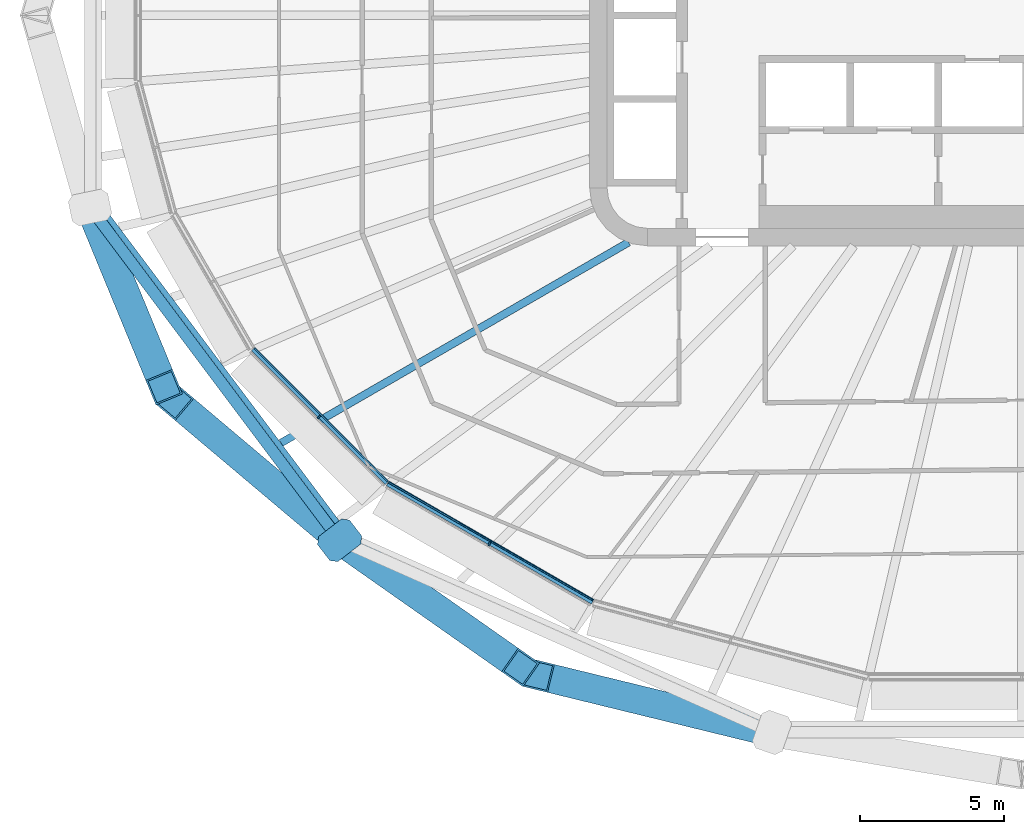
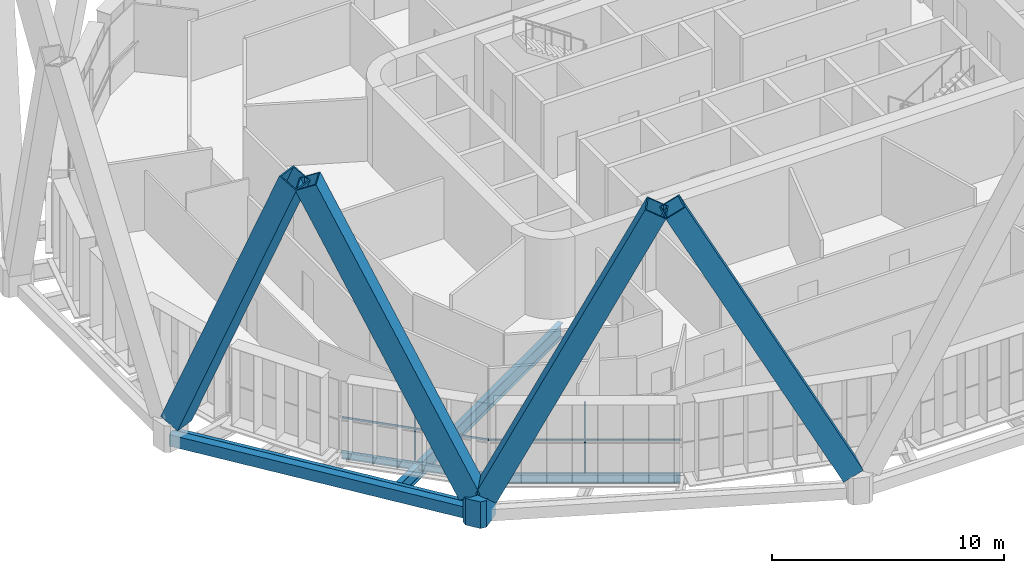
# One storey, part 1 of 25: 9 members, 5 beams, 2 elements without a shape of their own.
"""IFC4 building model written with IfcOpenShell, lengths in metres."""

from ifc_helpers import new_model, si_unit, direction, frame, origin, origin_2d, place, context, subcontext, project, spatial, polyline, rectangle, hollow_rectangle, i_section, outline, extrude, material, layer, layer_set, material_profile, profile_set, type_object, element, aggregate, save


model = new_model("IFC4")

# Units and contexts
model_context = context("Model", 3, precision=1e-05, world=origin(), true_north=direction((0.0, 1.0)))
body_context = subcontext(model_context, "Body", "Model", "MODEL_VIEW")
ifc_project = project(units=[si_unit("LENGTHUNIT", "METRE"), si_unit("AREAUNIT", "SQUARE_METRE"), si_unit("VOLUMEUNIT", "CUBIC_METRE"), si_unit("PLANEANGLEUNIT", "RADIAN"), si_unit("MASSUNIT", "GRAM", prefix="KILO")], contexts=[model_context])

# Site, building, storey
site_placement = place(None, origin())
site = spatial("IfcSite", under=ifc_project, at=site_placement, CompositionType="ELEMENT")
building_placement = place(site_placement, origin())
building = spatial("IfcBuilding", under=site, at=building_placement, Name="Sahrelin Media Tower", CompositionType="ELEMENT")
storey_placement = place(building_placement, frame((0.0, 0.0, 63.0)))
storey = spatial("IfcBuildingStorey", under=building, at=storey_placement, Name="L10", CompositionType="ELEMENT", Elevation=63.0)

# Members
ifc_material_1 = material(Name="Steel S460", Category="steel")
ifc_material_profile_1 = material_profile(ifc_material_1, hollow_rectangle(XDim=1.0, YDim=1.0, WallThickness=0.06005859375, at=origin_2d()), Name="Diagrid diagonal DG1")
ifc_profile_set_1 = profile_set([ifc_material_profile_1], Name="Steel S460")
member_type_1 = type_object("IfcMemberType", Name="Diagrid diagonal DG1", PredefinedType="BRACE", material=ifc_profile_set_1)
member_1_placement = place(storey_placement, frame((-32.2373046875, -6.943115234375, 0.699951171875), z_axis=(0.147434029779, -0.357371081902, 0.922252197982), x_axis=(0.92442176853, 0.381371726623, 0.0)))
element("IfcMember", 1, at=member_1_placement, inside=storey, type_object=member_type_1, Name="Diagrid diagonal D01-13", PredefinedType="BRACE", context=body_context, shape_type="SweptSolid", body=[
    extrude(hollow_rectangle(XDim=1.0, YDim=1.0, WallThickness=0.06005859375, at=origin_2d()), origin(), (0.0, 0.0, 1.0), 16.698486328125),
])
member_2_placement = place(storey_placement, frame((-23.930419921875, -18.01708984375, 0.699951171875), z_axis=(-0.322789301353, 0.272234018557, 0.90647432731), x_axis=(-0.644705674883, -0.764430894701, 0.0)))
element("IfcMember", 2, at=member_2_placement, inside=storey, type_object=member_type_1, Name="Diagrid diagonal D01-14", PredefinedType="BRACE", context=body_context, shape_type="SweptSolid", body=[
    extrude(hollow_rectangle(XDim=1.0, YDim=1.0, WallThickness=0.06005859375, at=origin_2d()), origin(), (0.0, 0.0, 1.0), 16.989013671875),
])
member_3_placement = place(storey_placement, frame((-23.408203125, -18.419189453125, 0.699951171875), z_axis=(0.352189140752, -0.247399563402, 0.902638501929), x_axis=(0.574813771639, 0.818284258638, 0.0)))
element("IfcMember", 3, at=member_3_placement, inside=storey, type_object=member_type_1, Name="Diagrid diagonal D01-15", PredefinedType="BRACE", context=body_context, shape_type="SweptSolid", body=[
    extrude(hollow_rectangle(XDim=1.0, YDim=1.0, WallThickness=0.06005859375, at=origin_2d()), origin(), (0.0, 0.0, 1.0), 17.061279296875),
])
member_4_placement = place(storey_placement, frame((-9.020263671875, -24.81298828125, 0.699951171875), z_axis=(-0.447007252146, 0.109235910573, 0.887835588592), x_axis=(-0.237386385551, -0.971415309718, 0.0)))
element("IfcMember", 4, at=member_4_placement, inside=storey, type_object=member_type_1, Name="Diagrid diagonal D01-16", PredefinedType="BRACE", context=body_context, shape_type="SweptSolid", body=[
    extrude(hollow_rectangle(XDim=1.0, YDim=1.0, WallThickness=0.06005859375, at=origin_2d()), origin(), (0.0, 0.0, 1.0), 17.345703125),
])
ifc_material_profile_2 = material_profile(ifc_material_1, outline(polyline([(0.5, -0.550048828125), (0.699951171875, -0.35009765625), (0.699951171875, 0.35009765625), (0.5, 0.550048828125), (-0.5, 0.550048828125), (-0.699951171875, 0.35009765625), (-0.699951171875, -0.35009765625), (-0.5, -0.550048828125), (0.5, -0.550048828125)])), Name="Diagrid node block 1400")
ifc_profile_set_2 = profile_set([ifc_material_profile_2], Name="Steel S460")
member_type_2 = type_object("IfcMemberType", Name="Diagrid node block 1400", PredefinedType="USERDEFINED", material=ifc_profile_set_2)
member_5_placement = place(storey_placement, frame((-23.68115234375, -18.227294921875, -0.699951171875), z_axis=(0.0, 0.0, 1.0), x_axis=(-0.792445093645, -0.609943254376, 0.0)))
element("IfcMember", 5, at=member_5_placement, inside=storey, type_object=member_type_2, Name="Diagrid node N01-07", ObjectType="NODE", PredefinedType="USERDEFINED", context=body_context, shape_type="SweptSolid", body=[
    extrude(outline(polyline([(0.5, -0.550048828125), (0.699951171875, -0.35009765625), (0.699951171875, 0.35009765625), (0.5, 0.550048828125), (-0.5, 0.550048828125), (-0.699951171875, 0.35009765625), (-0.699951171875, -0.35009765625), (-0.5, -0.550048828125), (0.5, -0.550048828125)])), origin(), (0.0, 0.0, 1.0), 1.39990234375),
])

# Beams
ifc_material_profile_3 = material_profile(ifc_material_1, hollow_rectangle(XDim=0.39990234375, YDim=0.60009765625, WallThickness=0.030029296875, at=origin_2d()), Name="Diagrid ring beam RB1")
ifc_profile_set_3 = profile_set([ifc_material_profile_3], Name="Steel S460")
beam_type_1 = type_object("IfcBeamType", Name="Diagrid ring beam RB1", PredefinedType="BEAM", material=ifc_profile_set_3)
beam_1_placement = place(storey_placement, frame((-32.34912109375, -6.671630859375, -0.449951171875), z_axis=(0.600054081917, -0.799959435706, 0.0), x_axis=(0.799959435706, 0.600054081917, 0.0)))
element("IfcBeam", 6, at=beam_1_placement, inside=storey, type_object=beam_type_1, Name="Diagrid ring beam RB01-06", PredefinedType="BEAM", context=body_context, shape_type="SweptSolid", body=[
    extrude(hollow_rectangle(XDim=0.39990234375, YDim=0.60009765625, WallThickness=0.030029296875, at=origin_2d()), origin(), (0.0, 0.0, 1.0), 14.4453125),
])
ifc_material_2 = material(Name="Steel S355", Category="steel")
ifc_material_profile_4 = material_profile(ifc_material_2, i_section(OverallWidth=0.17138671875, OverallDepth=0.35498046875, WebThickness=0.00732421875, FlangeThickness=0.011474609375, FilletRadius=0.01025390625, at=origin_2d()), Name="UB 356x171x51")
ifc_profile_set_4 = profile_set([ifc_material_profile_4], Name="Steel S355")
beam_type_2 = type_object("IfcBeamType", Name="Edge beam EB3", PredefinedType="BEAM", material=ifc_profile_set_4)
beam_2_placement = place(storey_placement, frame((-22.03662109375, -16.22998046875, -0.327392578125), z_axis=(-0.707106781187, 0.707106781187, 0.0), x_axis=(-0.707106781187, -0.707106781187, 0.0)))
element("IfcBeam", 7, at=beam_2_placement, inside=storey, type_object=beam_type_2, Name="Edge beam L10-10", PredefinedType="BEAM", context=body_context, shape_type="SweptSolid", body=[
    extrude(i_section(OverallWidth=0.17138671875, OverallDepth=0.35498046875, WebThickness=0.00732421875, FlangeThickness=0.011474609375, FilletRadius=0.01025390625, at=origin_2d()), origin(), (0.0, 0.0, 1.0), 6.574951171875),
])
ifc_material_profile_5 = material_profile(ifc_material_2, i_section(OverallWidth=0.1904296875, OverallDepth=0.45703125, WebThickness=0.009033203125, FlangeThickness=0.014404296875, FilletRadius=0.01025390625, at=origin_2d()), Name="UB 457x191x74")
ifc_profile_set_5 = profile_set([ifc_material_profile_5], Name="Steel S355")
beam_type_3 = type_object("IfcBeamType", Name="Edge beam EB5", PredefinedType="BEAM", material=ifc_profile_set_5)
beam_3_placement = place(storey_placement, frame((-14.895263671875, -20.357421875, -0.37841796875), z_axis=(-0.866022854634, 0.500004415232, 0.0), x_axis=(-0.500004415232, -0.866022854634, 0.0)))
element("IfcBeam", 8, at=beam_3_placement, inside=storey, type_object=beam_type_3, Name="Edge beam L10-09", PredefinedType="BEAM", context=body_context, shape_type="SweptSolid", body=[
    extrude(i_section(OverallWidth=0.1904296875, OverallDepth=0.45703125, WebThickness=0.009033203125, FlangeThickness=0.014404296875, FilletRadius=0.01025390625, at=origin_2d()), origin(), (0.0, 0.0, 1.0), 8.2197265625),
])

# Curtain wall, member
ifc_material_3 = material(Name="Champagne anodised aluminium 6063-T6", Category="aluminium")
ifc_layer = layer(ifc_material_3, 0.14990234375)
ifc_layer_set = layer_set([ifc_layer], Name="Tower ribbon curtain wall")
curtain_wall_type = type_object("IfcCurtainWallType", Name="Tower ribbon curtain wall", PredefinedType="NOTDEFINED", material=ifc_layer_set)
curtain_wall_1_placement = place(storey_placement, frame((-24.46728515625, -14.011474609375, 0.0), z_axis=(0.0, 0.0, 1.0), x_axis=(1.0, 0.0, 0.0)))
curtain_wall_1 = element("IfcCurtainWall", 9, at=curtain_wall_1_placement, inside=storey, type_object=curtain_wall_type, Name="L10:CW:L10-15", PredefinedType="NOTDEFINED")
ifc_material_profile_6 = material_profile(ifc_material_3, rectangle(XDim=0.06005859375, YDim=0.14990234375, at=origin_2d()), Name="Mullion 60x150")
ifc_profile_set_6 = profile_set([ifc_material_profile_6], Name="Champagne anodised aluminium 6063-T6")
member_type_3 = type_object("IfcMemberType", Name="Mullion 60x150 CW1", PredefinedType="MULLION", material=ifc_profile_set_6)
member_6_placement = place(storey_placement, frame((-24.39990234375, -13.9443359375, 0.0), z_axis=(0.0, 0.0, 1.0), x_axis=(0.707106781187, -0.707106781187, 0.0)))
member_6 = element("IfcMember", 10, at=member_6_placement, type_object=member_type_3, Name="L10:CWM:L10-15", PredefinedType="MULLION", context=body_context, shape_type="SweptSolid", body=[
    extrude(rectangle(XDim=0.06005859375, YDim=0.14990234375, at=origin_2d()), origin(), (0.0, 0.0, 1.0), 3.648681640625),
])

curtain_wall_2_placement = place(storey_placement, frame((-18.529296875, -18.432373046875, 0.0), z_axis=(0.0, 0.0, 1.0), x_axis=(1.0, 0.0, 0.0)))
curtain_wall_2 = element("IfcCurtainWall", 11, at=curtain_wall_2_placement, inside=storey, type_object=curtain_wall_type, Name="L10:CW:L10-16", PredefinedType="NOTDEFINED")
member_7_placement = place(storey_placement, frame((-18.48193359375, -18.35009765625, 0.0), z_axis=(0.0, 0.0, 1.0), x_axis=(0.866025403784, -0.5, 0.0)))
member_7 = element("IfcMember", 12, at=member_7_placement, type_object=member_type_3, Name="L10:CWM:L10-16", PredefinedType="MULLION", context=body_context, shape_type="SweptSolid", body=[
    extrude(rectangle(XDim=0.06005859375, YDim=0.14990234375, at=origin_2d()), origin(), (0.0, 0.0, 1.0), 3.648681640625),
])

# Beams
ifc_material_profile_7 = material_profile(ifc_material_2, i_section(OverallWidth=0.26513671875, OverallDepth=0.75390625, WebThickness=0.0126953125, FlangeThickness=0.017578125, FilletRadius=0.0166015625, at=origin_2d()), Name="UB 762x267x147")
ifc_profile_set_7 = profile_set([ifc_material_profile_7], Name="Steel S355")
beam_type_4 = type_object("IfcBeamType", Name="Radial secondary beam SB9", PredefinedType="BEAM", material=ifc_profile_set_7)
beam_4_placement = place(storey_placement, frame((-13.647216796875, -7.87841796875, -0.527099609375), z_axis=(-0.866051448613, -0.499954886321, 0.0), x_axis=(0.499954886321, -0.866051448613, 0.0)))
element("IfcBeam", 13, at=beam_4_placement, inside=storey, type_object=beam_type_4, Name="Secondary beam L10-15", PredefinedType="BEAM", context=body_context, shape_type="SweptSolid", body=[
    extrude(i_section(OverallWidth=0.26513671875, OverallDepth=0.75390625, WebThickness=0.0126953125, FlangeThickness=0.017578125, FilletRadius=0.0166015625, at=origin_2d()), origin(), (0.0, 0.0, 1.0), 13.941650390625),
])
ifc_material_profile_8 = material_profile(ifc_material_2, i_section(OverallWidth=0.1904296875, OverallDepth=0.45703125, WebThickness=0.009033203125, FlangeThickness=0.014404296875, FilletRadius=0.01025390625, at=origin_2d()), Name="UB 457x191x74")
ifc_profile_set_8 = profile_set([ifc_material_profile_8], Name="Steel S355")
beam_type_5 = type_object("IfcBeamType", Name="Tie chord TC5", PredefinedType="BEAM", material=ifc_profile_set_8)
beam_5_placement = place(storey_placement, frame((-23.48779296875, -17.98486328125, -0.37841796875), z_axis=(-0.600057493907, 0.799956876341, 0.0), x_axis=(-0.799956876341, -0.600057493907, 0.0)))
element("IfcBeam", 14, at=beam_5_placement, inside=storey, type_object=beam_type_5, Name="Tie chord L10-06", PredefinedType="BEAM", context=body_context, shape_type="SweptSolid", body=[
    extrude(i_section(OverallWidth=0.1904296875, OverallDepth=0.45703125, WebThickness=0.009033203125, FlangeThickness=0.014404296875, FilletRadius=0.01025390625, at=origin_2d()), origin(), (0.0, 0.0, 1.0), 14.267333984375),
])

# Member
ifc_material_profile_9 = material_profile(ifc_material_3, rectangle(XDim=0.050048828125, YDim=0.10009765625, at=origin_2d()), Name="Transom 50x100")
ifc_profile_set_9 = profile_set([ifc_material_profile_9], Name="Champagne anodised aluminium 6063-T6")
member_type_4 = type_object("IfcMemberType", Name="Transom 50x100 CW1", PredefinedType="USERDEFINED", material=ifc_profile_set_9)
member_8_placement = place(storey_placement, frame((-26.642822265625, -11.560302734375, 1.60009765625), z_axis=(0.707106781187, -0.707106781187, 0.0), x_axis=(0.707106781187, 0.707106781187, 0.0)))
member_8 = element("IfcMember", 15, at=member_8_placement, type_object=member_type_4, Name="L10:CWT:L10-15", ObjectType="TRANSOM", PredefinedType="USERDEFINED", context=body_context, shape_type="SweptSolid", body=[
    extrude(rectangle(XDim=0.050048828125, YDim=0.10009765625, at=origin_2d()), origin(), (0.0, 0.0, 1.0), 6.54345703125),
])

aggregate(curtain_wall_1, [member_6, member_8])

member_9_placement = place(storey_placement, frame((-21.9775390625, -16.216552734375, 1.60009765625), z_axis=(0.866034646646, -0.499983990553, 0.0), x_axis=(0.499983990553, 0.866034646646, 0.0)))
member_9 = element("IfcMember", 16, at=member_9_placement, type_object=member_type_4, Name="L10:CWT:L10-16", ObjectType="TRANSOM", PredefinedType="USERDEFINED", context=body_context, shape_type="SweptSolid", body=[
    extrude(rectangle(XDim=0.050048828125, YDim=0.10009765625, at=origin_2d()), origin(), (0.0, 0.0, 1.0), 8.188232421875),
])

aggregate(curtain_wall_2, [member_7, member_9])

save(model, "model.ifc")
